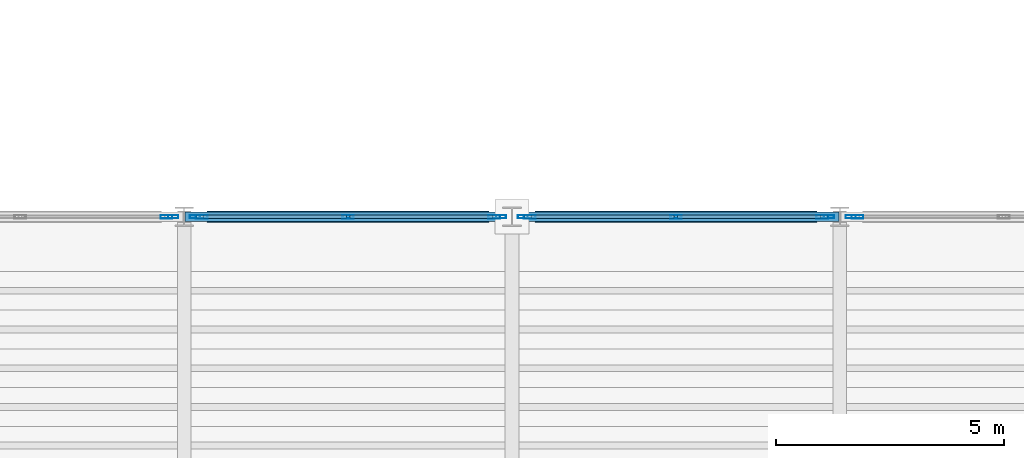
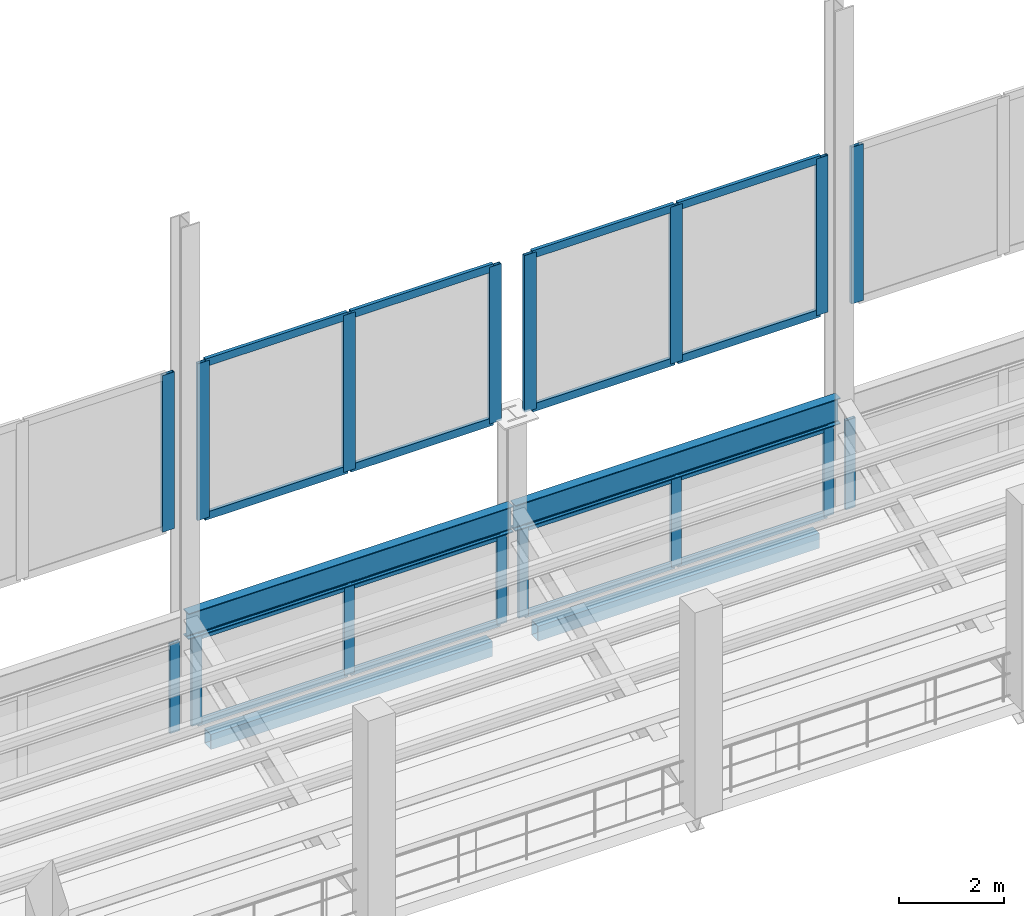
# One storey, part 54 of 120: 32 members, 4 beams, 8 elements without a shape of their own.
"""IFC4 building model written with IfcOpenShell, lengths in metres."""

from ifc_helpers import new_model, si_unit, direction, frame, origin, origin_2d, place, context, subcontext, project, spatial, hollow_rectangle, i_section, extrude, material, material_profile, profile_set, type_object, element, aggregate, save


model = new_model("IFC4")

# Units and contexts
model_context = context("Model", 3, precision=1e-05, world=origin(), true_north=direction((0.0, 1.0)))
body_context = subcontext(model_context, "Body", "Model", "MODEL_VIEW")
ifc_project = project(units=[si_unit("LENGTHUNIT", "METRE"), si_unit("AREAUNIT", "SQUARE_METRE"), si_unit("VOLUMEUNIT", "CUBIC_METRE"), si_unit("PLANEANGLEUNIT", "RADIAN"), si_unit("MASSUNIT", "GRAM", prefix="KILO")], contexts=[model_context])

# Site, building, storey
site_placement = place(None, origin())
site = spatial("IfcSite", under=ifc_project, at=site_placement, CompositionType="ELEMENT")
building_placement = place(site_placement, origin())
building = spatial("IfcBuilding", under=site, at=building_placement, Name="Vesperath Aquatics Centre", CompositionType="ELEMENT")
storey_placement = place(building_placement, frame((0.0, 0.0, 10.199951171875)))
storey = spatial("IfcBuildingStorey", under=building, at=storey_placement, Name="L02", CompositionType="ELEMENT", Elevation=10.199951171875)

# Beams
ifc_material_1 = material(Name="Steel Q355D", Category="steel")
ifc_material_profile_1 = material_profile(ifc_material_1, i_section(OverallWidth=0.199951171875, OverallDepth=0.60009765625, WebThickness=0.010986328125, FlangeThickness=0.01708984375, FilletRadius=0.02197265625, at=origin_2d()), Name="HN 600x200x11x17")
ifc_profile_set_1 = profile_set([ifc_material_profile_1], Name="Steel Q355D")
beam_type_1 = type_object("IfcBeamType", Name="BM-RKH1", PredefinedType="BEAM", material=ifc_profile_set_1)
for number, where, z_axis, x_axis, name in (
    (1, (64.820068359375, 86.39990234375, 2.400146484375), (1.0, 0.0, 0.0), (0.0, 1.0, 0.0), "Upper Bowl Rim Girder RKH1 North 10-11"),
    (2, (72.02001953125, 86.39990234375, 2.400146484375), (1.0, 0.0, 0.0), (0.0, 1.0, 0.0), "Upper Bowl Rim Girder RKH1 North 11-12"),
):
    element("IfcBeam", number, at=place(storey_placement, frame(where, z_axis=z_axis, x_axis=x_axis)), inside=storey, type_object=beam_type_1, Name=name, PredefinedType="BEAM", context=body_context, shape_type="SweptSolid", body=[
        extrude(i_section(OverallWidth=0.199951171875, OverallDepth=0.60009765625, WebThickness=0.010986328125, FlangeThickness=0.01708984375, FilletRadius=0.02197265625, at=origin_2d()), origin(), (0.0, 0.0, 1.0), 7.159912109375),
    ])
ifc_material_profile_2 = material_profile(ifc_material_1, hollow_rectangle(XDim=0.25, YDim=0.35009765625, WallThickness=0.011962890625, at=origin_2d()), Name="RHS 350x250x12")
ifc_profile_set_2 = profile_set([ifc_material_profile_2], Name="Steel Q355D")
beam_type_2 = type_object("IfcBeamType", Name="BM-SP02", PredefinedType="SPANDREL", material=ifc_profile_set_2)
for number, where, z_axis, x_axis, name in (
    (3, (65.300048828125, 86.39990234375, -0.43505859375), (1.0, 0.0, 0.0), (0.0, 1.0, 0.0), "Floor Girder SP02 L02 N 10-11"),
    (4, (72.5, 86.39990234375, -0.43505859375), (1.0, 0.0, 0.0), (0.0, 1.0, 0.0), "Floor Girder SP02 L02 N 11-12"),
):
    element("IfcBeam", number, at=place(storey_placement, frame(where, z_axis=z_axis, x_axis=x_axis)), inside=storey, type_object=beam_type_2, Name=name, PredefinedType="SPANDREL", context=body_context, shape_type="SweptSolid", body=[
        extrude(hollow_rectangle(XDim=0.25, YDim=0.35009765625, WallThickness=0.011962890625, at=origin_2d()), origin(), (0.0, 0.0, 1.0), 6.199951171875),
    ])

# Curtain wall, member
ifc_material_2 = material(Name="Thermally broken anodised bronze aluminium curtain wall", Category="aluminium")
curtain_wall_type_1 = type_object("IfcCurtainWallType", Name="CW-08", PredefinedType="NOTDEFINED", material=ifc_material_2)
curtain_wall_1_placement = place(storey_placement, origin())
curtain_wall_1 = element("IfcCurtainWall", 5, at=curtain_wall_1_placement, inside=storey, type_object=curtain_wall_type_1, Name="Natatorium Gable West Curtain Wall CW08 N-5W", PredefinedType="NOTDEFINED")
ifc_material_3 = material(Name="Thermally broken anodised aluminium", Category="aluminium")
ifc_material_profile_3 = material_profile(ifc_material_3, hollow_rectangle(XDim=0.074951171875, YDim=0.260009765625, WallThickness=0.006103515625, at=origin_2d()), Name="CWM 75x260x6")
ifc_profile_set_3 = profile_set([ifc_material_profile_3], Name="Thermally broken anodised aluminium")
member_type_1 = type_object("IfcMemberType", Name="MB-CWM1", PredefinedType="MULLION", material=ifc_profile_set_3)
member_1_placement = place(storey_placement, frame((64.41259765625, 86.39990234375, 4.75), z_axis=(0.0, 0.0, 1.0), x_axis=(0.0, 1.0, 0.0)))
member_1 = element("IfcMember", 6, at=member_1_placement, type_object=member_type_1, Name="CW08 mullion 3", PredefinedType="MULLION", context=body_context, shape_type="SweptSolid", body=[
    extrude(hollow_rectangle(XDim=0.074951171875, YDim=0.260009765625, WallThickness=0.006103515625, at=origin_2d()), origin(), (0.0, 0.0, 1.0), 3.650146484375),
])
aggregate(curtain_wall_1, [member_1])

# Curtain wall, members
curtain_wall_2_placement = place(storey_placement, origin())
curtain_wall_2 = element("IfcCurtainWall", 7, at=curtain_wall_2_placement, inside=storey, type_object=curtain_wall_type_1, Name="Natatorium Gable East Curtain Wall CW08 N-5E", PredefinedType="NOTDEFINED")
member_2_placement = place(storey_placement, frame((65.1875, 86.39990234375, 4.75), z_axis=(0.0, 0.0, 1.0), x_axis=(0.0, 1.0, 0.0)))
member_2 = element("IfcMember", 8, at=member_2_placement, type_object=member_type_1, Name="CW08 mullion 1", PredefinedType="MULLION", context=body_context, shape_type="SweptSolid", body=[
    extrude(hollow_rectangle(XDim=0.074951171875, YDim=0.260009765625, WallThickness=0.006103515625, at=origin_2d()), origin(), (0.0, 0.0, 1.0), 3.650146484375),
])
member_3_placement = place(storey_placement, frame((68.39990234375, 86.39990234375, 4.75), z_axis=(0.0, 0.0, 1.0), x_axis=(0.0, 1.0, 0.0)))
member_3 = element("IfcMember", 9, at=member_3_placement, type_object=member_type_1, Name="CW08 mullion 2", PredefinedType="MULLION", context=body_context, shape_type="SweptSolid", body=[
    extrude(hollow_rectangle(XDim=0.074951171875, YDim=0.260009765625, WallThickness=0.006103515625, at=origin_2d()), origin(), (0.0, 0.0, 1.0), 3.650146484375),
])
member_4_placement = place(storey_placement, frame((71.612548828125, 86.39990234375, 4.75), z_axis=(0.0, 0.0, 1.0), x_axis=(0.0, 1.0, 0.0)))
member_4 = element("IfcMember", 10, at=member_4_placement, type_object=member_type_1, Name="CW08 mullion 3", PredefinedType="MULLION", context=body_context, shape_type="SweptSolid", body=[
    extrude(hollow_rectangle(XDim=0.074951171875, YDim=0.260009765625, WallThickness=0.006103515625, at=origin_2d()), origin(), (0.0, 0.0, 1.0), 3.650146484375),
])

curtain_wall_3_placement = place(storey_placement, origin())
curtain_wall_3 = element("IfcCurtainWall", 11, at=curtain_wall_3_placement, inside=storey, type_object=curtain_wall_type_1, Name="Natatorium Gable West Curtain Wall CW08 N-6W", PredefinedType="NOTDEFINED")
member_5_placement = place(storey_placement, frame((72.387451171875, 86.39990234375, 4.75), z_axis=(0.0, 0.0, 1.0), x_axis=(0.0, 1.0, 0.0)))
member_5 = element("IfcMember", 12, at=member_5_placement, type_object=member_type_1, Name="CW08 mullion 1", PredefinedType="MULLION", context=body_context, shape_type="SweptSolid", body=[
    extrude(hollow_rectangle(XDim=0.074951171875, YDim=0.260009765625, WallThickness=0.006103515625, at=origin_2d()), origin(), (0.0, 0.0, 1.0), 3.650146484375),
])
member_6_placement = place(storey_placement, frame((75.60009765625, 86.39990234375, 4.75), z_axis=(0.0, 0.0, 1.0), x_axis=(0.0, 1.0, 0.0)))
member_6 = element("IfcMember", 13, at=member_6_placement, type_object=member_type_1, Name="CW08 mullion 2", PredefinedType="MULLION", context=body_context, shape_type="SweptSolid", body=[
    extrude(hollow_rectangle(XDim=0.074951171875, YDim=0.260009765625, WallThickness=0.006103515625, at=origin_2d()), origin(), (0.0, 0.0, 1.0), 3.650146484375),
])
member_7_placement = place(storey_placement, frame((78.8125, 86.39990234375, 4.75), z_axis=(0.0, 0.0, 1.0), x_axis=(0.0, 1.0, 0.0)))
member_7 = element("IfcMember", 14, at=member_7_placement, type_object=member_type_1, Name="CW08 mullion 3", PredefinedType="MULLION", context=body_context, shape_type="SweptSolid", body=[
    extrude(hollow_rectangle(XDim=0.074951171875, YDim=0.260009765625, WallThickness=0.006103515625, at=origin_2d()), origin(), (0.0, 0.0, 1.0), 3.650146484375),
])

# Curtain wall, member
curtain_wall_4_placement = place(storey_placement, origin())
curtain_wall_4 = element("IfcCurtainWall", 15, at=curtain_wall_4_placement, inside=storey, type_object=curtain_wall_type_1, Name="Natatorium Gable East Curtain Wall CW08 N-6E", PredefinedType="NOTDEFINED")
member_8_placement = place(storey_placement, frame((79.58740234375, 86.39990234375, 4.75), z_axis=(0.0, 0.0, 1.0), x_axis=(0.0, 1.0, 0.0)))
member_8 = element("IfcMember", 16, at=member_8_placement, type_object=member_type_1, Name="CW08 mullion 1", PredefinedType="MULLION", context=body_context, shape_type="SweptSolid", body=[
    extrude(hollow_rectangle(XDim=0.074951171875, YDim=0.260009765625, WallThickness=0.006103515625, at=origin_2d()), origin(), (0.0, 0.0, 1.0), 3.650146484375),
])
aggregate(curtain_wall_4, [member_8])

curtain_wall_type_2 = type_object("IfcCurtainWallType", Name="CW-06", PredefinedType="NOTDEFINED", material=ifc_material_2)
curtain_wall_5_placement = place(storey_placement, origin())
curtain_wall_5 = element("IfcCurtainWall", 17, at=curtain_wall_5_placement, inside=storey, type_object=curtain_wall_type_2, Name="Facade Curtain Wall CW06 L02_N_08_12", PredefinedType="NOTDEFINED")
ifc_material_profile_4 = material_profile(ifc_material_3, hollow_rectangle(XDim=0.070068359375, YDim=0.219970703125, WallThickness=0.0048828125, at=origin_2d()), Name="CWM 70x220x5")
ifc_profile_set_4 = profile_set([ifc_material_profile_4], Name="Thermally broken anodised aluminium")
member_type_2 = type_object("IfcMemberType", Name="MB-CWM2", PredefinedType="MULLION", material=ifc_profile_set_4)
member_9_placement = place(storey_placement, frame((64.5615234375, 86.39990234375, 0.0), z_axis=(0.0, 0.0, 1.0), x_axis=(0.0, 1.0, 0.0)))
member_9 = element("IfcMember", 18, at=member_9_placement, type_object=member_type_2, Name="CW06 mullion 3", PredefinedType="MULLION", context=body_context, shape_type="SweptSolid", body=[
    extrude(hollow_rectangle(XDim=0.070068359375, YDim=0.219970703125, WallThickness=0.0048828125, at=origin_2d()), origin(), (0.0, 0.0, 1.0), 2.080078125),
])
aggregate(curtain_wall_5, [member_9])

# Curtain wall, members
curtain_wall_6_placement = place(storey_placement, origin())
curtain_wall_6 = element("IfcCurtainWall", 19, at=curtain_wall_6_placement, inside=storey, type_object=curtain_wall_type_2, Name="Facade Curtain Wall CW06 L02_N_09_12", PredefinedType="NOTDEFINED")
member_10_placement = place(storey_placement, frame((65.03857421875, 86.39990234375, 0.0), z_axis=(0.0, 0.0, 1.0), x_axis=(0.0, 1.0, 0.0)))
member_10 = element("IfcMember", 20, at=member_10_placement, type_object=member_type_2, Name="CW06 mullion 1", PredefinedType="MULLION", context=body_context, shape_type="SweptSolid", body=[
    extrude(hollow_rectangle(XDim=0.070068359375, YDim=0.219970703125, WallThickness=0.0048828125, at=origin_2d()), origin(), (0.0, 0.0, 1.0), 2.080078125),
])
member_11_placement = place(storey_placement, frame((68.39990234375, 86.39990234375, 0.0), z_axis=(0.0, 0.0, 1.0), x_axis=(0.0, 1.0, 0.0)))
member_11 = element("IfcMember", 21, at=member_11_placement, type_object=member_type_2, Name="CW06 mullion 2", PredefinedType="MULLION", context=body_context, shape_type="SweptSolid", body=[
    extrude(hollow_rectangle(XDim=0.070068359375, YDim=0.219970703125, WallThickness=0.0048828125, at=origin_2d()), origin(), (0.0, 0.0, 1.0), 2.080078125),
])
member_12_placement = place(storey_placement, frame((71.761474609375, 86.39990234375, 0.0), z_axis=(0.0, 0.0, 1.0), x_axis=(0.0, 1.0, 0.0)))
member_12 = element("IfcMember", 22, at=member_12_placement, type_object=member_type_2, Name="CW06 mullion 3", PredefinedType="MULLION", context=body_context, shape_type="SweptSolid", body=[
    extrude(hollow_rectangle(XDim=0.070068359375, YDim=0.219970703125, WallThickness=0.0048828125, at=origin_2d()), origin(), (0.0, 0.0, 1.0), 2.080078125),
])

curtain_wall_7_placement = place(storey_placement, origin())
curtain_wall_7 = element("IfcCurtainWall", 23, at=curtain_wall_7_placement, inside=storey, type_object=curtain_wall_type_2, Name="Facade Curtain Wall CW06 L02_N_10_12", PredefinedType="NOTDEFINED")
member_13_placement = place(storey_placement, frame((72.238525390625, 86.39990234375, 0.0), z_axis=(0.0, 0.0, 1.0), x_axis=(0.0, 1.0, 0.0)))
member_13 = element("IfcMember", 24, at=member_13_placement, type_object=member_type_2, Name="CW06 mullion 1", PredefinedType="MULLION", context=body_context, shape_type="SweptSolid", body=[
    extrude(hollow_rectangle(XDim=0.070068359375, YDim=0.219970703125, WallThickness=0.0048828125, at=origin_2d()), origin(), (0.0, 0.0, 1.0), 2.080078125),
])
member_14_placement = place(storey_placement, frame((75.60009765625, 86.39990234375, 0.0), z_axis=(0.0, 0.0, 1.0), x_axis=(0.0, 1.0, 0.0)))
member_14 = element("IfcMember", 25, at=member_14_placement, type_object=member_type_2, Name="CW06 mullion 2", PredefinedType="MULLION", context=body_context, shape_type="SweptSolid", body=[
    extrude(hollow_rectangle(XDim=0.070068359375, YDim=0.219970703125, WallThickness=0.0048828125, at=origin_2d()), origin(), (0.0, 0.0, 1.0), 2.080078125),
])
member_15_placement = place(storey_placement, frame((78.96142578125, 86.39990234375, 0.0), z_axis=(0.0, 0.0, 1.0), x_axis=(0.0, 1.0, 0.0)))
member_15 = element("IfcMember", 26, at=member_15_placement, type_object=member_type_2, Name="CW06 mullion 3", PredefinedType="MULLION", context=body_context, shape_type="SweptSolid", body=[
    extrude(hollow_rectangle(XDim=0.070068359375, YDim=0.219970703125, WallThickness=0.0048828125, at=origin_2d()), origin(), (0.0, 0.0, 1.0), 2.080078125),
])

# Curtain wall, member
curtain_wall_8_placement = place(storey_placement, origin())
curtain_wall_8 = element("IfcCurtainWall", 27, at=curtain_wall_8_placement, inside=storey, type_object=curtain_wall_type_2, Name="Facade Curtain Wall CW06 L02_N_11_12", PredefinedType="NOTDEFINED")
member_16_placement = place(storey_placement, frame((79.4384765625, 86.39990234375, 0.0), z_axis=(0.0, 0.0, 1.0), x_axis=(0.0, 1.0, 0.0)))
member_16 = element("IfcMember", 28, at=member_16_placement, type_object=member_type_2, Name="CW06 mullion 1", PredefinedType="MULLION", context=body_context, shape_type="SweptSolid", body=[
    extrude(hollow_rectangle(XDim=0.070068359375, YDim=0.219970703125, WallThickness=0.0048828125, at=origin_2d()), origin(), (0.0, 0.0, 1.0), 2.080078125),
])
aggregate(curtain_wall_8, [member_16])

# Member
ifc_material_profile_5 = material_profile(ifc_material_3, hollow_rectangle(XDim=0.074951171875, YDim=0.179931640625, WallThickness=0.0048828125, at=origin_2d()), Name="CWT 75x180x5")
ifc_profile_set_5 = profile_set([ifc_material_profile_5], Name="Thermally broken anodised aluminium")
member_type_3 = type_object("IfcMemberType", Name="MB-CWT1", PredefinedType="USERDEFINED", material=ifc_profile_set_5)
member_17_placement = place(storey_placement, frame((65.22509765625, 86.39990234375, 4.78759765625), z_axis=(1.0, 0.0, 0.0), x_axis=(0.0, 1.0, 0.0)))
member_17 = element("IfcMember", 29, at=member_17_placement, type_object=member_type_3, Name="CW08 transom 1.1", ObjectType="TRANSOM", PredefinedType="USERDEFINED", context=body_context, shape_type="SweptSolid", body=[
    extrude(hollow_rectangle(XDim=0.074951171875, YDim=0.179931640625, WallThickness=0.0048828125, at=origin_2d()), origin(), (0.0, 0.0, 1.0), 3.137451171875),
])

member_18_placement = place(storey_placement, frame((65.22509765625, 86.39990234375, 8.362548828125), z_axis=(1.0, 0.0, 0.0), x_axis=(0.0, 1.0, 0.0)))
member_18 = element("IfcMember", 30, at=member_18_placement, type_object=member_type_3, Name="CW08 transom 1.2", ObjectType="TRANSOM", PredefinedType="USERDEFINED", context=body_context, shape_type="SweptSolid", body=[
    extrude(hollow_rectangle(XDim=0.074951171875, YDim=0.179931640625, WallThickness=0.0048828125, at=origin_2d()), origin(), (0.0, 0.0, 1.0), 3.137451171875),
])

member_19_placement = place(storey_placement, frame((68.4375, 86.39990234375, 4.78759765625), z_axis=(1.0, 0.0, 0.0), x_axis=(0.0, 1.0, 0.0)))
member_19 = element("IfcMember", 31, at=member_19_placement, type_object=member_type_3, Name="CW08 transom 2.1", ObjectType="TRANSOM", PredefinedType="USERDEFINED", context=body_context, shape_type="SweptSolid", body=[
    extrude(hollow_rectangle(XDim=0.074951171875, YDim=0.179931640625, WallThickness=0.0048828125, at=origin_2d()), origin(), (0.0, 0.0, 1.0), 3.137451171875),
])

member_20_placement = place(storey_placement, frame((68.4375, 86.39990234375, 8.362548828125), z_axis=(1.0, 0.0, 0.0), x_axis=(0.0, 1.0, 0.0)))
member_20 = element("IfcMember", 32, at=member_20_placement, type_object=member_type_3, Name="CW08 transom 2.2", ObjectType="TRANSOM", PredefinedType="USERDEFINED", context=body_context, shape_type="SweptSolid", body=[
    extrude(hollow_rectangle(XDim=0.074951171875, YDim=0.179931640625, WallThickness=0.0048828125, at=origin_2d()), origin(), (0.0, 0.0, 1.0), 3.137451171875),
])

aggregate(curtain_wall_2, [member_2, member_3, member_4, member_17, member_18, member_19, member_20])

member_21_placement = place(storey_placement, frame((72.425048828125, 86.39990234375, 4.78759765625), z_axis=(1.0, 0.0, 0.0), x_axis=(0.0, 1.0, 0.0)))
member_21 = element("IfcMember", 33, at=member_21_placement, type_object=member_type_3, Name="CW08 transom 1.1", ObjectType="TRANSOM", PredefinedType="USERDEFINED", context=body_context, shape_type="SweptSolid", body=[
    extrude(hollow_rectangle(XDim=0.074951171875, YDim=0.179931640625, WallThickness=0.0048828125, at=origin_2d()), origin(), (0.0, 0.0, 1.0), 3.137451171875),
])

member_22_placement = place(storey_placement, frame((72.425048828125, 86.39990234375, 8.362548828125), z_axis=(1.0, 0.0, 0.0), x_axis=(0.0, 1.0, 0.0)))
member_22 = element("IfcMember", 34, at=member_22_placement, type_object=member_type_3, Name="CW08 transom 1.2", ObjectType="TRANSOM", PredefinedType="USERDEFINED", context=body_context, shape_type="SweptSolid", body=[
    extrude(hollow_rectangle(XDim=0.074951171875, YDim=0.179931640625, WallThickness=0.0048828125, at=origin_2d()), origin(), (0.0, 0.0, 1.0), 3.137451171875),
])

member_23_placement = place(storey_placement, frame((75.637451171875, 86.39990234375, 4.78759765625), z_axis=(1.0, 0.0, 0.0), x_axis=(0.0, 1.0, 0.0)))
member_23 = element("IfcMember", 35, at=member_23_placement, type_object=member_type_3, Name="CW08 transom 2.1", ObjectType="TRANSOM", PredefinedType="USERDEFINED", context=body_context, shape_type="SweptSolid", body=[
    extrude(hollow_rectangle(XDim=0.074951171875, YDim=0.179931640625, WallThickness=0.0048828125, at=origin_2d()), origin(), (0.0, 0.0, 1.0), 3.137451171875),
])

member_24_placement = place(storey_placement, frame((75.637451171875, 86.39990234375, 8.362548828125), z_axis=(1.0, 0.0, 0.0), x_axis=(0.0, 1.0, 0.0)))
member_24 = element("IfcMember", 36, at=member_24_placement, type_object=member_type_3, Name="CW08 transom 2.2", ObjectType="TRANSOM", PredefinedType="USERDEFINED", context=body_context, shape_type="SweptSolid", body=[
    extrude(hollow_rectangle(XDim=0.074951171875, YDim=0.179931640625, WallThickness=0.0048828125, at=origin_2d()), origin(), (0.0, 0.0, 1.0), 3.137451171875),
])

aggregate(curtain_wall_3, [member_5, member_6, member_7, member_21, member_22, member_23, member_24])

ifc_material_profile_6 = material_profile(ifc_material_3, hollow_rectangle(XDim=0.070068359375, YDim=0.159912109375, WallThickness=0.0048828125, at=origin_2d()), Name="CWT 70x160x5")
ifc_profile_set_6 = profile_set([ifc_material_profile_6], Name="Thermally broken anodised aluminium")
member_type_4 = type_object("IfcMemberType", Name="MB-CWT2", PredefinedType="USERDEFINED", material=ifc_profile_set_6)
member_25_placement = place(storey_placement, frame((65.073486328125, 86.39990234375, 0.03515625), z_axis=(1.0, 0.0, 0.0), x_axis=(0.0, 1.0, 0.0)))
member_25 = element("IfcMember", 37, at=member_25_placement, type_object=member_type_4, Name="CW06 transom 1.1", ObjectType="TRANSOM", PredefinedType="USERDEFINED", context=body_context, shape_type="SweptSolid", body=[
    extrude(hollow_rectangle(XDim=0.070068359375, YDim=0.159912109375, WallThickness=0.0048828125, at=origin_2d()), origin(), (0.0, 0.0, 1.0), 3.29150390625),
])

member_26_placement = place(storey_placement, frame((65.073486328125, 86.39990234375, 2.045166015625), z_axis=(1.0, 0.0, 0.0), x_axis=(0.0, 1.0, 0.0)))
member_26 = element("IfcMember", 38, at=member_26_placement, type_object=member_type_4, Name="CW06 transom 1.2", ObjectType="TRANSOM", PredefinedType="USERDEFINED", context=body_context, shape_type="SweptSolid", body=[
    extrude(hollow_rectangle(XDim=0.070068359375, YDim=0.159912109375, WallThickness=0.0048828125, at=origin_2d()), origin(), (0.0, 0.0, 1.0), 3.29150390625),
])

member_27_placement = place(storey_placement, frame((68.43505859375, 86.39990234375, 0.03515625), z_axis=(1.0, 0.0, 0.0), x_axis=(0.0, 1.0, 0.0)))
member_27 = element("IfcMember", 39, at=member_27_placement, type_object=member_type_4, Name="CW06 transom 2.1", ObjectType="TRANSOM", PredefinedType="USERDEFINED", context=body_context, shape_type="SweptSolid", body=[
    extrude(hollow_rectangle(XDim=0.070068359375, YDim=0.159912109375, WallThickness=0.0048828125, at=origin_2d()), origin(), (0.0, 0.0, 1.0), 3.29150390625),
])

member_28_placement = place(storey_placement, frame((68.43505859375, 86.39990234375, 2.045166015625), z_axis=(1.0, 0.0, 0.0), x_axis=(0.0, 1.0, 0.0)))
member_28 = element("IfcMember", 40, at=member_28_placement, type_object=member_type_4, Name="CW06 transom 2.2", ObjectType="TRANSOM", PredefinedType="USERDEFINED", context=body_context, shape_type="SweptSolid", body=[
    extrude(hollow_rectangle(XDim=0.070068359375, YDim=0.159912109375, WallThickness=0.0048828125, at=origin_2d()), origin(), (0.0, 0.0, 1.0), 3.29150390625),
])

aggregate(curtain_wall_6, [member_10, member_11, member_12, member_25, member_26, member_27, member_28])

member_29_placement = place(storey_placement, frame((72.2734375, 86.39990234375, 0.03515625), z_axis=(1.0, 0.0, 0.0), x_axis=(0.0, 1.0, 0.0)))
member_29 = element("IfcMember", 41, at=member_29_placement, type_object=member_type_4, Name="CW06 transom 1.1", ObjectType="TRANSOM", PredefinedType="USERDEFINED", context=body_context, shape_type="SweptSolid", body=[
    extrude(hollow_rectangle(XDim=0.070068359375, YDim=0.159912109375, WallThickness=0.0048828125, at=origin_2d()), origin(), (0.0, 0.0, 1.0), 3.29150390625),
])

member_30_placement = place(storey_placement, frame((72.2734375, 86.39990234375, 2.045166015625), z_axis=(1.0, 0.0, 0.0), x_axis=(0.0, 1.0, 0.0)))
member_30 = element("IfcMember", 42, at=member_30_placement, type_object=member_type_4, Name="CW06 transom 1.2", ObjectType="TRANSOM", PredefinedType="USERDEFINED", context=body_context, shape_type="SweptSolid", body=[
    extrude(hollow_rectangle(XDim=0.070068359375, YDim=0.159912109375, WallThickness=0.0048828125, at=origin_2d()), origin(), (0.0, 0.0, 1.0), 3.29150390625),
])

member_31_placement = place(storey_placement, frame((75.635009765625, 86.39990234375, 0.03515625), z_axis=(1.0, 0.0, 0.0), x_axis=(0.0, 1.0, 0.0)))
member_31 = element("IfcMember", 43, at=member_31_placement, type_object=member_type_4, Name="CW06 transom 2.1", ObjectType="TRANSOM", PredefinedType="USERDEFINED", context=body_context, shape_type="SweptSolid", body=[
    extrude(hollow_rectangle(XDim=0.070068359375, YDim=0.159912109375, WallThickness=0.0048828125, at=origin_2d()), origin(), (0.0, 0.0, 1.0), 3.29150390625),
])

member_32_placement = place(storey_placement, frame((75.635009765625, 86.39990234375, 2.045166015625), z_axis=(1.0, 0.0, 0.0), x_axis=(0.0, 1.0, 0.0)))
member_32 = element("IfcMember", 44, at=member_32_placement, type_object=member_type_4, Name="CW06 transom 2.2", ObjectType="TRANSOM", PredefinedType="USERDEFINED", context=body_context, shape_type="SweptSolid", body=[
    extrude(hollow_rectangle(XDim=0.070068359375, YDim=0.159912109375, WallThickness=0.0048828125, at=origin_2d()), origin(), (0.0, 0.0, 1.0), 3.29150390625),
])

aggregate(curtain_wall_7, [member_13, member_14, member_15, member_29, member_30, member_31, member_32])

save(model, "model.ifc")
